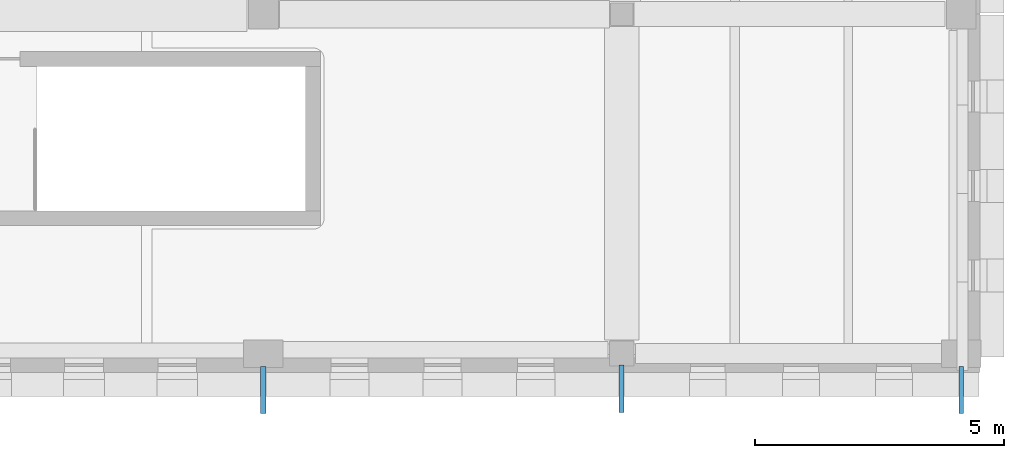
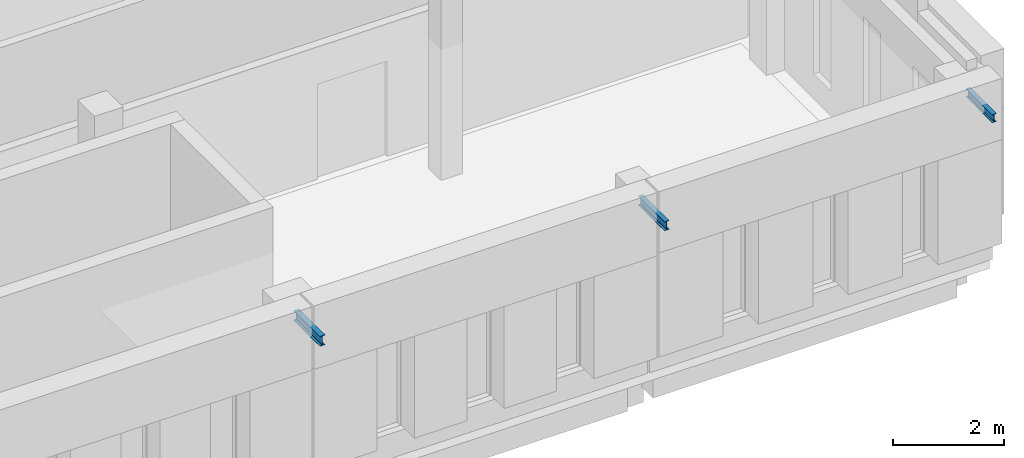
# One storey, part 28 of 56: 3 members.
"""IFC4 building model written with IfcOpenShell, lengths in metres."""

from ifc_helpers import new_model, si_unit, direction, frame, origin, origin_2d, place, context, subcontext, project, spatial, i_section, extrude, material, material_profile, profile_set, type_object, element, save


model = new_model("IFC4")

# Units and contexts
model_context = context("Model", 3, precision=1e-05, world=origin(), true_north=direction((0.0, 1.0)))
body_context = subcontext(model_context, "Body", "Model", "MODEL_VIEW")
ifc_project = project(units=[si_unit("LENGTHUNIT", "METRE"), si_unit("AREAUNIT", "SQUARE_METRE"), si_unit("VOLUMEUNIT", "CUBIC_METRE"), si_unit("PLANEANGLEUNIT", "RADIAN"), si_unit("MASSUNIT", "GRAM", prefix="KILO")], contexts=[model_context])

# Site, building, storey
site_placement = place(None, origin())
site = spatial("IfcSite", under=ifc_project, at=site_placement, CompositionType="ELEMENT")
building_placement = place(site_placement, origin())
building = spatial("IfcBuilding", under=site, at=building_placement, Name="Vardoun Plaza Health Centre", CompositionType="ELEMENT")
storey_placement = place(building_placement, frame((0.0, 0.0, 8.699951171875)))
storey = spatial("IfcBuildingStorey", under=building, at=storey_placement, Name="L02", CompositionType="ELEMENT", Elevation=8.699951171875)

# Members
ifc_material_1 = material(Name="Steel S355J2", Category="steel")
ifc_material_profile_1 = material_profile(ifc_material_1, i_section(OverallWidth=0.110107421875, OverallDepth=0.219970703125, WebThickness=0.005859375, FlangeThickness=0.00927734375, FilletRadius=0.011962890625, at=origin_2d()), Name="IPE 220")
ifc_profile_set_1 = profile_set([ifc_material_profile_1], Name="Steel S355J2")
member_type_1 = type_object("IfcMemberType", Name="CR-02", PredefinedType="RAFTER", material=ifc_profile_set_1)
member_1_placement = place(storey_placement, frame((150.89990234375, 4.625, 3.655029296875), z_axis=(0.0, -1.0, 0.0), x_axis=(1.0, 0.0, 0.0)))
element("IfcMember", 1, at=member_1_placement, inside=storey, type_object=member_type_1, Name="V5 L02 South Facade Shading Fin Arm SH-V5-L02-081", PredefinedType="RAFTER", context=body_context, shape_type="SweptSolid", body=[
    extrude(i_section(OverallWidth=0.110107421875, OverallDepth=0.219970703125, WebThickness=0.005859375, FlangeThickness=0.00927734375, FilletRadius=0.011962890625, at=origin_2d()), origin(), (0.0, 0.0, 1.0), 0.949951171875),
])
ifc_material_2 = material(Name="Steel S355J2", Category="steel")
ifc_material_profile_2 = material_profile(ifc_material_2, i_section(OverallWidth=0.10009765625, OverallDepth=0.199951171875, WebThickness=0.005615234375, FlangeThickness=0.008544921875, FilletRadius=0.011962890625, at=origin_2d()), Name="IPE 200")
ifc_profile_set_2 = profile_set([ifc_material_profile_2], Name="Steel S355J2")
member_type_2 = type_object("IfcMemberType", Name="CR-03", PredefinedType="RAFTER", material=ifc_profile_set_2)
member_2_placement = place(storey_placement, frame((158.10009765625, 4.64990234375, 3.655029296875), z_axis=(0.0, -1.0, 0.0), x_axis=(1.0, 0.0, 0.0)))
element("IfcMember", 2, at=member_2_placement, inside=storey, type_object=member_type_2, Name="V5 L02 South Facade Shading Fin Arm SH-V5-L02-082", PredefinedType="RAFTER", context=body_context, shape_type="SweptSolid", body=[
    extrude(i_section(OverallWidth=0.10009765625, OverallDepth=0.199951171875, WebThickness=0.005615234375, FlangeThickness=0.008544921875, FilletRadius=0.011962890625, at=origin_2d()), origin(), (0.0, 0.0, 1.0), 0.949951171875),
])
ifc_material_3 = material(Name="Steel S355J2", Category="steel")
ifc_material_profile_3 = material_profile(ifc_material_3, i_section(OverallWidth=0.091064453125, OverallDepth=0.179931640625, WebThickness=0.00537109375, FlangeThickness=0.008056640625, FilletRadius=0.009033203125, at=origin_2d()), Name="IPE 180")
ifc_profile_set_3 = profile_set([ifc_material_profile_3], Name="Steel S355J2")
member_type_3 = type_object("IfcMemberType", Name="CR-04", PredefinedType="RAFTER", material=ifc_profile_set_3)
member_3_placement = place(storey_placement, frame((164.919921875, 4.625, 3.655029296875), z_axis=(0.0, -1.0, 0.0), x_axis=(1.0, 0.0, 0.0)))
element("IfcMember", 3, at=member_3_placement, inside=storey, type_object=member_type_3, Name="V5 L02 South Facade Shading Fin Arm SH-V5-L02-083", PredefinedType="RAFTER", context=body_context, shape_type="SweptSolid", body=[
    extrude(i_section(OverallWidth=0.091064453125, OverallDepth=0.179931640625, WebThickness=0.00537109375, FlangeThickness=0.008056640625, FilletRadius=0.009033203125, at=origin_2d()), origin(), (0.0, 0.0, 1.0), 0.949951171875),
])

save(model, "model.ifc")
